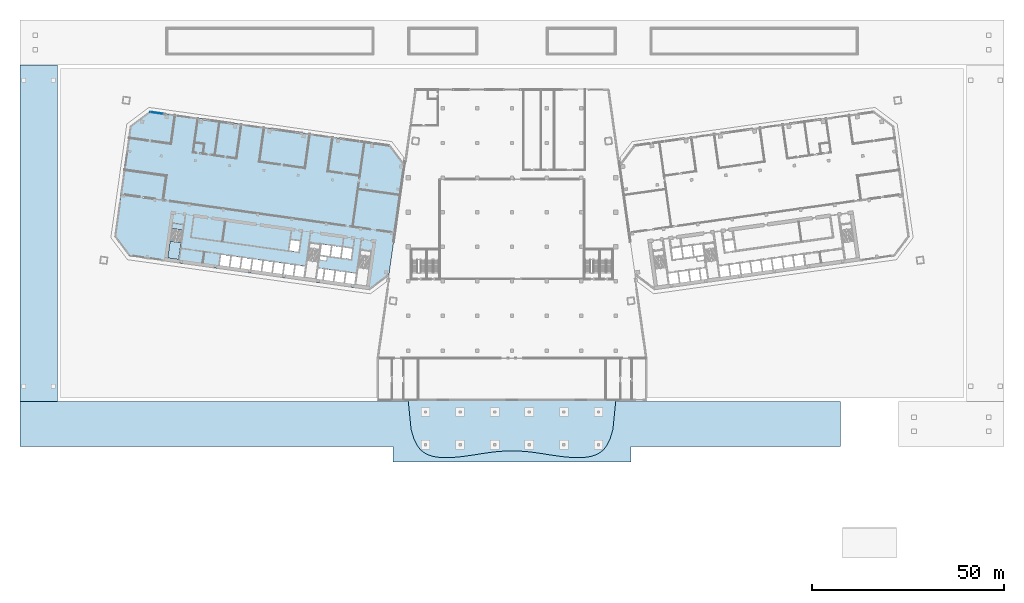
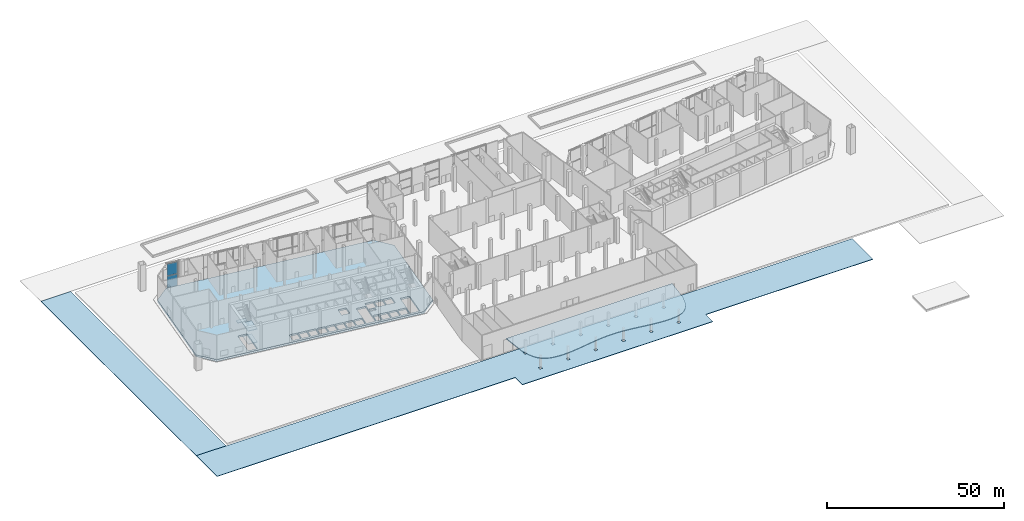
# One storey, part 8 of 34: 7 slabs, 2 plates, 2 elements without a shape of their own.
"""IFC4 building model written with IfcOpenShell, lengths in metres."""

import ifcopenshell
import ifcopenshell.guid

model = None  # the IFC model being written
_history = None  # IfcOwnerHistory: only IFC2X3 demands one
_inside = {}  # id of a spatial element -> (the spatial element, [elements in it])
_under = {}  # id of a project, library or spatial element -> (it, [spatial elements below it])
_declared = {}  # id of a project -> (the project, [libraries it declares])
_typed = {}  # id of a type object -> (the type object, [elements of that type])
_made_of = {}  # id of a material, layer set ... -> (it, [elements and type objects made of it])


def new_model(schema):
    """Start an empty IFC model of exactly this schema.

    Asked for "IFC4X3", IfcOpenShell would pick the latest addendum, in which some entities
    have other attributes; the version numbers below select the first issue.
    IFC2X3 requires an IfcOwnerHistory on every rooted entity: one is made here for all.
    """
    global model, _history
    if schema == "IFC4X3":
        model = ifcopenshell.file(schema_version=(4, 3, 0, 0))
    else:
        model = ifcopenshell.file(schema=schema)
    _inside.clear()
    _under.clear()
    _declared.clear()
    _typed.clear()
    _made_of.clear()
    _history = None
    if model.schema == "IFC2X3":
        org = make("IfcOrganization", Name="unknown")
        user = make(
            "IfcPersonAndOrganization",
            ThePerson=make("IfcPerson", FamilyName="unknown"),
            TheOrganization=org,
        )
        app = make(
            "IfcApplication",
            ApplicationDeveloper=org,
            Version="unknown",
            ApplicationFullName="unknown",
            ApplicationIdentifier="unknown",
        )
        _history = make(
            "IfcOwnerHistory",
            OwningUser=user,
            OwningApplication=app,
            ChangeAction="ADDED",
            CreationDate=0,
        )
    return model


def make(cls, **values):
    """One entity of the class cls with the attributes given. An attribute that is None is left unset."""
    return model.create_entity(
        cls, **{name: value for name, value in values.items() if value is not None}
    )


def rooted(cls, **values):
    """An entity with a GlobalId (a new one), such as an element, a storey or a relation."""
    return make(cls, GlobalId=ifcopenshell.guid.new(), OwnerHistory=_history, **values)


def si_unit(unit_type, name, prefix=None):
    """IfcSIUnit, for example si_unit("LENGTHUNIT", "METRE", prefix="MILLI")."""
    return make("IfcSIUnit", UnitType=unit_type, Prefix=prefix, Name=name)


def assignment(units):
    """IfcUnitAssignment: the units of a project."""
    return None if units is None else make("IfcUnitAssignment", Units=units)


def point(xyz):
    """IfcCartesianPoint."""
    return None if xyz is None else make("IfcCartesianPoint", Coordinates=xyz)


def direction(xyz):
    """IfcDirection."""
    return None if xyz is None else make("IfcDirection", DirectionRatios=xyz)


def frame(location, z_axis=None, x_axis=None):
    """IfcAxis2Placement3D, a coordinate frame: its origin and axes. An axis left out is left unset."""
    return make(
        "IfcAxis2Placement3D",
        Location=point(location),
        Axis=direction(z_axis),
        RefDirection=direction(x_axis),
    )


def frame_2d(location, x_axis=None):
    """IfcAxis2Placement2D, a coordinate frame in the plane: its origin and x axis."""
    return make(
        "IfcAxis2Placement2D", Location=point(location), RefDirection=direction(x_axis)
    )


def origin():
    """The frame at (0, 0, 0) with its axes left unset."""
    return frame((0.0, 0.0, 0.0))


def origin_2d():
    """The frame at (0, 0) in the plane with its x axis left unset."""
    return frame_2d((0.0, 0.0))


def place(relative_to, where):
    """IfcLocalPlacement: puts the frame where relative to a parent placement (None: the world)."""
    return make(
        "IfcLocalPlacement", PlacementRelTo=relative_to, RelativePlacement=where
    )


def context(
    kind, dimensions, precision=None, world=None, true_north=None, identifier=None
):
    """IfcGeometricRepresentationContext, for example the 3D "Model" context."""
    return make(
        "IfcGeometricRepresentationContext",
        ContextIdentifier=identifier,
        ContextType=kind,
        CoordinateSpaceDimension=dimensions,
        Precision=precision,
        WorldCoordinateSystem=world,
        TrueNorth=true_north,
    )


def subcontext(parent, identifier, kind, view, scale=None):
    """IfcGeometricRepresentationSubContext, for example "Body" below "Model"."""
    return make(
        "IfcGeometricRepresentationSubContext",
        ContextIdentifier=identifier,
        ContextType=kind,
        ParentContext=parent,
        TargetScale=scale,
        TargetView=view,
    )


def project(units=None, contexts=None):
    """IfcProject with its units and contexts."""
    return rooted(
        "IfcProject",
        Name="project",
        RepresentationContexts=contexts,
        UnitsInContext=assignment(units),
    )


def spatial(cls, under=None, at=None, **own):
    """A site, building, storey or space (cls), placed at a placement, below another one or the project."""
    s = rooted(cls, ObjectPlacement=at, **own)
    if under is not None:
        _under.setdefault(under.id(), (under, []))[1].append(s)
    return s


def polyline(points):
    """IfcPolyline through the points."""
    return make("IfcPolyline", Points=[point(p) for p in points])


def profile(cls, at=None, kind="AREA", **sizes):
    """A parametric profile (cls). Its sizes go by their IFC names, for example OverallWidth=200.0."""
    return make(cls, ProfileType=kind, Position=at, **sizes)


def rectangle(**sizes):
    """IfcRectangleProfileDef."""
    return profile("IfcRectangleProfileDef", **sizes)


def outline(outer, holes=None, kind="AREA"):
    """IfcArbitraryClosedProfileDef: a profile drawn as a closed curve; with holes, ...WithVoids."""
    if holes is None:
        return make("IfcArbitraryClosedProfileDef", ProfileType=kind, OuterCurve=outer)
    return make(
        "IfcArbitraryProfileDefWithVoids",
        ProfileType=kind,
        OuterCurve=outer,
        InnerCurves=holes,
    )


def extrude(swept, where, along, depth):
    """IfcExtrudedAreaSolid: the profile swept, set in the frame where, extruded along a direction by depth."""
    return make(
        "IfcExtrudedAreaSolid",
        SweptArea=swept,
        Position=where,
        ExtrudedDirection=direction(along),
        Depth=depth,
    )


def shape(context_of_items, identifier, shape_type, items):
    """IfcShapeRepresentation: the items that make up one representation, for example the "Body"."""
    return make(
        "IfcShapeRepresentation",
        ContextOfItems=context_of_items,
        RepresentationIdentifier=identifier,
        RepresentationType=shape_type,
        Items=items,
    )


def material(Name=None, Category=None):
    """IfcMaterial."""
    return make("IfcMaterial", Name=Name, Category=Category)


def layer(
    of_material, thickness, ventilated=None, Name=None, Category=None, Priority=None
):
    """IfcMaterialLayer: one layer of a wall or slab, of a material (None: an air gap)."""
    return make(
        "IfcMaterialLayer",
        Material=of_material,
        LayerThickness=thickness,
        IsVentilated=ventilated,
        Name=Name,
        Category=Category,
        Priority=Priority,
    )


def layer_set(layers, Name=None):
    """IfcMaterialLayerSet."""
    return make("IfcMaterialLayerSet", MaterialLayers=layers, LayerSetName=Name)


def made_of(thing, what):
    """Note that an element or type object is made of a material, layer set ...; save() writes the relation."""
    if what is not None:
        _made_of.setdefault(what.id(), (what, []))[1].append(thing)
    return thing


def type_object(cls, material=None, **own):
    """A type object (cls), such as IfcWallType, which elements share."""
    return made_of(rooted(cls, **own), material)


def element(
    cls,
    number,
    at=None,
    inside=None,
    cuts=None,
    type_object=None,
    material=None,
    context=None,
    identifier="Body",
    shape_type=None,
    held_by="IfcProductDefinitionShape",
    body=None,
    shapes=None,
    **own,
):
    """One element of the class cls, such as IfcWall. Its Tag is "e" and its number.

    at: its placement. inside: the storey or other place that contains it. cuts: it is an
    opening in that element (IfcRelVoidsElement). A single representation is given by context,
    identifier, shape_type and body (its items); several are given by shapes. held_by: the class
    of the entity that holds the representations. save() writes the other relations.
    """
    e = rooted(cls, Tag="e%d" % number, ObjectPlacement=at, **own)
    if body is not None:
        shapes = [shape(context, identifier, shape_type, body)]
    if shapes is not None:
        e.Representation = make(held_by, Representations=shapes)
    if inside is not None:
        _inside.setdefault(inside.id(), (inside, []))[1].append(e)
    if cuts is not None:
        rooted(
            "IfcRelVoidsElement", RelatingBuildingElement=cuts, RelatedOpeningElement=e
        )
    if type_object is not None:
        _typed.setdefault(type_object.id(), (type_object, []))[1].append(e)
    return made_of(e, material)


def aggregate(whole, parts):
    """IfcRelAggregates: a whole, such as a stair, and the parts it consists of."""
    return rooted("IfcRelAggregates", RelatingObject=whole, RelatedObjects=parts)


def save(model, path):
    """Write the relations noted so far, then the file.

    IfcRelAggregates (storeys below a building ...), IfcRelContainedInSpatialStructure (elements
    in a storey), IfcRelDefinesByType, IfcRelAssociatesMaterial and IfcRelDeclares: one each for
    every whole, place, type object, material and project.
    """
    for whole, parts in _under.values():
        aggregate(whole, parts)
    for where, things in _inside.values():
        rooted(
            "IfcRelContainedInSpatialStructure",
            RelatedElements=things,
            RelatingStructure=where,
        )
    for kind, things in _typed.values():
        rooted("IfcRelDefinesByType", RelatedObjects=things, RelatingType=kind)
    for what, things in _made_of.values():
        rooted("IfcRelAssociatesMaterial", RelatedObjects=things, RelatingMaterial=what)
    for by, libraries in _declared.values():
        rooted("IfcRelDeclares", RelatingContext=by, RelatedDefinitions=libraries)
    model.write(path)


model = new_model("IFC4")

# Units and contexts
model_context = context("Model", 3, precision=1e-05, world=origin(), true_north=direction((0.0, 1.0)))
body_context = subcontext(model_context, "Body", "Model", "MODEL_VIEW")
ifc_project = project(units=[si_unit("LENGTHUNIT", "METRE"), si_unit("AREAUNIT", "SQUARE_METRE"), si_unit("VOLUMEUNIT", "CUBIC_METRE"), si_unit("PLANEANGLEUNIT", "RADIAN"), si_unit("MASSUNIT", "GRAM", prefix="KILO")], contexts=[model_context])

# Site, building, storey
site_placement = place(None, origin())
site = spatial("IfcSite", under=ifc_project, at=site_placement, CompositionType="ELEMENT")
building_placement = place(site_placement, origin())
building = spatial("IfcBuilding", under=site, at=building_placement, Name="Mirante Cascada Hotel Towers", CompositionType="ELEMENT")
storey_placement = place(building_placement, origin())
storey = spatial("IfcBuildingStorey", under=building, at=storey_placement, Name="L00", CompositionType="ELEMENT", Elevation=0.0)

# Slab
ifc_material_1 = material(Name="Concrete C50/60", Category="concrete")
ifc_layer_1 = layer(ifc_material_1, 0.3)
ifc_layer_set_1 = layer_set([ifc_layer_1], Name="Canopy slab 300 concrete C50/60")
slab_type_1 = type_object("IfcSlabType", Name="Canopy slab 300 concrete C50/60", PredefinedType="ROOF", material=ifc_layer_set_1)
slab_1_placement = place(storey_placement, frame((0.0, 0.0, 4.5)))
element("IfcSlab", 1, at=slab_1_placement, inside=storey, type_object=slab_type_1, Name="Porte-cochere canopy slab", PredefinedType="ROOF", context=body_context, shape_type="SweptSolid", body=[
    extrude(outline(polyline([(-27.0, -49.0), (-27.0, -49.0), (-26.25, -56.561), (-25.5, -59.0275), (-24.75, -60.5471), (-24.0, -61.5697), (-23.25, -62.2838), (-22.5, -62.7912), (-21.75, -63.154), (-21.0, -63.4127), (-20.25, -63.5947), (-19.5, -63.7188), (-18.75, -63.7983), (-18.0, -63.8425), (-17.25, -63.8578), (-16.5, -63.8491), (-15.75, -63.82), (-15.0, -63.773), (-14.25, -63.7106), (-13.5, -63.6346), (-12.75, -63.547), (-12.0, -63.4496), (-11.25, -63.3442), (-10.5, -63.2329), (-9.75, -63.1174), (-9.0, -63.0), (-8.25, -62.8825), (-7.5, -62.7671), (-6.75, -62.6556), (-6.0, -62.55), (-5.25, -62.4521), (-4.5, -62.3636), (-3.75, -62.286), (-3.0, -62.2206), (-2.25, -62.1685), (-1.5, -62.1307), (-0.75, -62.1077), (0.0, -62.1), (0.75, -62.1077), (1.5, -62.1307), (2.25, -62.1685), (3.0, -62.2206), (3.75, -62.286), (4.5, -62.3636), (5.25, -62.4521), (6.0, -62.55), (6.75, -62.6556), (7.5, -62.7671), (8.25, -62.8825), (9.0, -63.0), (9.75, -63.1174), (10.5, -63.2329), (11.25, -63.3442), (12.0, -63.4496), (12.75, -63.547), (13.5, -63.6346), (14.25, -63.7106), (15.0, -63.773), (15.75, -63.82), (16.5, -63.8491), (17.25, -63.8578), (18.0, -63.8425), (18.75, -63.7983), (19.5, -63.7188), (20.25, -63.5947), (21.0, -63.4127), (21.75, -63.154), (22.5, -62.7912), (23.25, -62.2838), (24.0, -61.5697), (24.75, -60.5471), (25.5, -59.0275), (26.25, -56.561), (27.0, -49.0), (27.0, -49.0), (-27.0, -49.0)])), origin(), (0.0, 0.0, 1.0), 0.3),
])

# Curtain wall, plates
ifc_material_2 = material(Name="Aluminium mullion and transom frame with clear laminated glass", Category="aluminium")
curtain_wall_type = type_object("IfcCurtainWallType", Name="Podium curtain wall ECW3", PredefinedType="NOTDEFINED", material=ifc_material_2)
curtain_wall_placement = place(storey_placement, origin())
curtain_wall = element("IfcCurtainWall", 2, at=curtain_wall_placement, inside=storey, type_object=curtain_wall_type, Name="Podium curtain wall L00 run front.1", PredefinedType="NOTDEFINED")
ifc_material_3 = material(Name="Clear laminated glass", Category="glass")
ifc_layer_2 = layer(ifc_material_3, 0.04)
ifc_layer_set_2 = layer_set([ifc_layer_2], Name="ECW3 glass panel 40")
plate_type = type_object("IfcPlateType", Name="ECW3 glass panel 40", PredefinedType="CURTAIN_PANEL", material=ifc_layer_set_2)
plate_1_placement = place(storey_placement, frame((-92.4455, 25.8114, 0.12), z_axis=(0.0, 0.0, 1.0), x_axis=(0.9902681, -0.1391731, 0.0)))
plate_1 = element("IfcPlate", 3, at=plate_1_placement, type_object=plate_type, Name="ECW3 panel 1", PredefinedType="CURTAIN_PANEL", context=body_context, shape_type="SweptSolid", body=[
    extrude(rectangle(XDim=3.2989, YDim=0.04, at=origin_2d()), origin(), (0.0, 0.0, 1.0), 4.07),
])
plate_2_placement = place(storey_placement, frame((-92.4455, 25.8114, 4.31), z_axis=(0.0, 0.0, 1.0), x_axis=(0.9902681, -0.1391731, 0.0)))
plate_2 = element("IfcPlate", 4, at=plate_2_placement, type_object=plate_type, Name="ECW3 panel 1", PredefinedType="CURTAIN_PANEL", context=body_context, shape_type="SweptSolid", body=[
    extrude(rectangle(XDim=3.2989, YDim=0.04, at=origin_2d()), origin(), (0.0, 0.0, 1.0), 4.07),
])
aggregate(curtain_wall, [plate_1, plate_2])

# Stair, slabs
ifc_material_4 = material(Name="Concrete C35/45", Category="concrete")
stair_type = type_object("IfcStairType", Name="Exit stair half-turn 1350 concrete C35/45", PredefinedType="HALF_TURN_STAIR", material=ifc_material_4)
stair_placement = place(storey_placement, origin())
stair = element("IfcStair", 5, at=stair_placement, inside=storey, type_object=stair_type, Name="L00 Exit stair C", PredefinedType="HALF_TURN_STAIR")
ifc_material_5 = material(Name="Concrete C35/45", Category="concrete")
ifc_layer_3 = layer(ifc_material_5, 0.2)
ifc_layer_set_3 = layer_set([ifc_layer_3], Name="Exit stair landing 200 concrete C35/45")
slab_type_2 = type_object("IfcSlabType", Name="Exit stair landing 200 concrete C35/45", PredefinedType="LANDING", material=ifc_layer_set_3)
slab_2_placement = place(storey_placement, frame((0.0, 0.0, 2.05)))
slab_2 = element("IfcSlab", 6, at=slab_2_placement, type_object=slab_type_2, Name="ST1-C landing 1", PredefinedType="LANDING", context=body_context, shape_type="SweptSolid", body=[
    extrude(outline(polyline([(-88.9464, -7.5523), (-89.5585, -11.9075), (-86.7362, -12.3041), (-86.1241, -7.9489), (-88.9464, -7.5523)])), origin(), (0.0, 0.0, 1.0), 0.2),
])
slab_3_placement = place(storey_placement, frame((0.0, 0.0, 4.3)))
slab_3 = element("IfcSlab", 7, at=slab_3_placement, type_object=slab_type_2, Name="ST1-C landing 2", PredefinedType="LANDING", context=body_context, shape_type="SweptSolid", body=[
    extrude(outline(polyline([(-88.292, -2.896), (-88.481, -4.2408), (-85.6587, -4.6375), (-85.4697, -3.2927), (-88.292, -2.896)])), origin(), (0.0, 0.0, 1.0), 0.2),
])
slab_4_placement = place(storey_placement, frame((0.0, 0.0, 6.55)))
slab_4 = element("IfcSlab", 8, at=slab_4_placement, type_object=slab_type_2, Name="ST1-C landing 3", PredefinedType="LANDING", context=body_context, shape_type="SweptSolid", body=[
    extrude(outline(polyline([(-88.9464, -7.5523), (-89.5585, -11.9075), (-86.7362, -12.3041), (-86.1241, -7.9489), (-88.9464, -7.5523)])), origin(), (0.0, 0.0, 1.0), 0.2),
])
aggregate(stair, [slab_2, slab_3, slab_4])

# Slabs
ifc_material_6 = material(Name="Concrete C25/30", Category="concrete")
ifc_layer_4 = layer(ifc_material_6, 0.15)
ifc_layer_set_4 = layer_set([ifc_layer_4], Name="Paving slab 150 concrete C25/30")
slab_type_3 = type_object("IfcSlabType", Name="Paving slab 150 concrete C25/30", PredefinedType="USERDEFINED", material=ifc_layer_set_4)
slab_5_placement = place(storey_placement, frame((0.0, 0.0, -0.15)))
element("IfcSlab", 9, at=slab_5_placement, inside=storey, type_object=slab_type_3, Name="Paving South forecourt", ObjectType="PAVING", PredefinedType="USERDEFINED", context=body_context, shape_type="SweptSolid", body=[
    extrude(outline(polyline([(31.0, -61.0), (85.4, -61.0), (85.4, -49.3), (31.0, -49.3), (-31.0, -49.3), (-128.0, -49.3), (-128.0, -61.0), (-31.0, -61.0), (-31.0, -65.0), (31.0, -65.0), (31.0, -61.0)]), holes=[polyline([(22.9, -60.9), (22.1, -60.9), (22.1, -60.1), (22.9, -60.1), (22.9, -60.9)]), polyline([(22.9, -52.4), (22.1, -52.4), (22.1, -51.6), (22.9, -51.6), (22.9, -52.4)]), polyline([(13.9, -60.9), (13.1, -60.9), (13.1, -60.1), (13.9, -60.1), (13.9, -60.9)]), polyline([(13.9, -52.4), (13.1, -52.4), (13.1, -51.6), (13.9, -51.6), (13.9, -52.4)]), polyline([(4.9, -60.1), (4.9, -60.9), (4.1, -60.9), (4.1, -60.1), (4.9, -60.1)]), polyline([(4.9, -51.6), (4.9, -52.4), (4.1, -52.4), (4.1, -51.6), (4.9, -51.6)]), polyline([(-4.1, -60.9), (-4.9, -60.9), (-4.9, -60.1), (-4.1, -60.1), (-4.1, -60.9)]), polyline([(-4.1, -52.4), (-4.9, -52.4), (-4.9, -51.6), (-4.1, -51.6), (-4.1, -52.4)]), polyline([(-13.1, -60.9), (-13.9, -60.9), (-13.9, -60.1), (-13.1, -60.1), (-13.1, -60.9)]), polyline([(-13.1, -52.4), (-13.9, -52.4), (-13.9, -51.6), (-13.1, -51.6), (-13.1, -52.4)]), polyline([(-22.1, -60.1), (-22.1, -60.9), (-22.9, -60.9), (-22.9, -60.1), (-22.1, -60.1)]), polyline([(-22.1, -51.6), (-22.1, -52.4), (-22.9, -52.4), (-22.9, -51.6), (-22.1, -51.6)])]), origin(), (0.0, 0.0, 1.0), 0.15),
])
slab_6_placement = place(storey_placement, frame((0.0, 0.0, -0.15)))
element("IfcSlab", 10, at=slab_6_placement, inside=storey, type_object=slab_type_3, Name="Paving West service band", ObjectType="PAVING", PredefinedType="USERDEFINED", context=body_context, shape_type="SweptSolid", body=[
    extrude(outline(polyline([(-118.3, 38.3), (-128.0, 38.3), (-128.0, -49.3), (-118.3, -49.3), (-118.3, 38.3)])), origin(), (0.0, 0.0, 1.0), 0.15),
])
ifc_material_7 = material(Name="Concrete C40/50", Category="concrete")
ifc_layer_5 = layer(ifc_material_7, 0.6)
ifc_layer_set_5 = layer_set([ifc_layer_5], Name="Post-tensioned flat plate 600 Concrete C40/50")
slab_type_4 = type_object("IfcSlabType", Name="Post-tensioned flat plate 600 Concrete C40/50", PredefinedType="FLOOR", material=ifc_layer_set_5)
slab_7_placement = place(storey_placement, frame((0.0, 0.0, -0.6)))
element("IfcSlab", 11, at=slab_7_placement, inside=storey, type_object=slab_type_4, Name="Floor T1 L00", PredefinedType="FLOOR", context=body_context, shape_type="SweptSolid", body=[
    extrude(outline(polyline([(-32.018, -16.3589), (-27.982, 12.3589), (-31.8119, 17.4414), (-94.1988, 26.2093), (-99.2813, 22.3794), (-103.3173, -6.3384), (-99.4874, -11.4209), (-37.1005, -20.1888), (-32.018, -16.3589)]), holes=[polyline([(-43.0718, -15.6132), (-40.5961, -15.9612), (-40.9858, -18.7339), (-43.4615, -18.386), (-43.0718, -15.6132)]), polyline([(-45.8446, -15.2236), (-43.3689, -15.5715), (-43.7586, -18.3442), (-46.2342, -17.9963), (-45.8446, -15.2236)]), polyline([(-48.6173, -14.8339), (-46.1416, -15.1818), (-46.5313, -17.9546), (-49.007, -17.6066), (-48.6173, -14.8339)]), polyline([(-50.7895, -17.3561), (-50.3998, -14.5834), (-48.9144, -14.7921), (-49.3041, -17.5649), (-50.7895, -17.3561)]), polyline([(-39.611, -11.107), (-36.7887, -11.5037), (-37.8665, -19.1723), (-40.6887, -18.7757), (-39.611, -11.107)]), polyline([(-50.0088, -9.6457), (-51.0866, -17.3144), (-53.9088, -16.9177), (-52.8311, -9.2491), (-50.0088, -9.6457)]), polyline([(-49.9544, -11.4145), (-48.1472, -11.6685), (-48.2829, -12.634), (-50.0901, -12.38), (-49.9544, -11.4145)]), polyline([(-43.9775, -9.124), (-41.5018, -9.472), (-41.8915, -12.2447), (-44.3672, -11.8968), (-43.9775, -9.124)]), polyline([(-47.1399, -11.5071), (-46.7503, -8.7344), (-44.2746, -9.0823), (-44.6643, -11.855), (-47.1399, -11.5071)]), polyline([(-49.9127, -11.1174), (-49.523, -8.3447), (-47.0473, -8.6926), (-47.437, -11.4654), (-49.9127, -11.1174)]), polyline([(-56.2919, -13.7553), (-53.8162, -14.1032), (-54.2059, -16.876), (-56.6816, -16.528), (-56.2919, -13.7553)]), polyline([(-59.0646, -13.3656), (-56.589, -13.7135), (-56.9787, -16.4863), (-59.4543, -16.1383), (-59.0646, -13.3656)]), polyline([(-61.8374, -12.9759), (-59.3617, -13.3238), (-59.7514, -16.0966), (-62.2271, -15.7487), (-61.8374, -12.9759)]), polyline([(-64.9998, -15.359), (-64.6101, -12.5862), (-62.1345, -12.9342), (-62.5242, -15.7069), (-64.9998, -15.359)]), polyline([(-67.7726, -14.9693), (-67.3829, -12.1965), (-64.9072, -12.5445), (-65.2969, -15.3172), (-67.7726, -14.9693)]), polyline([(-70.1556, -11.8069), (-67.68, -12.1548), (-68.0697, -14.9275), (-70.5453, -14.5796), (-70.1556, -11.8069)]), polyline([(-72.9284, -11.4172), (-70.4527, -11.7651), (-70.8424, -14.5379), (-73.3181, -14.1899), (-72.9284, -11.4172)]), polyline([(-75.7011, -11.0275), (-73.2255, -11.3754), (-73.6152, -14.1482), (-76.0908, -13.8002), (-75.7011, -11.0275)]), polyline([(-88.4807, -4.2388), (-85.6585, -4.6355), (-86.7362, -12.3041), (-89.5585, -11.9075), (-88.4807, -4.2388)]), polyline([(-57.9834, -9.9832), (-57.5937, -7.2104), (-55.118, -7.5583), (-55.5077, -10.3311), (-57.9834, -9.9832)])]), origin(), (0.0, 0.0, 1.0), 0.6),
])

save(model, "model.ifc")
